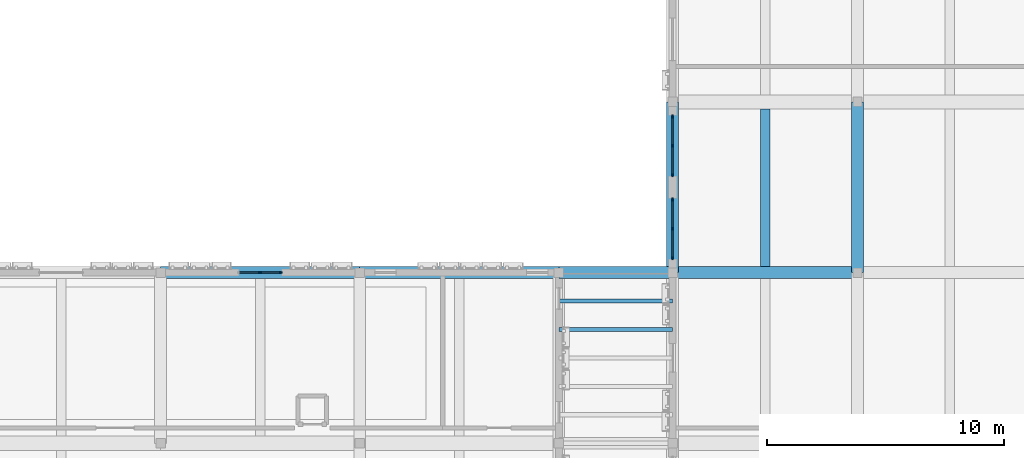
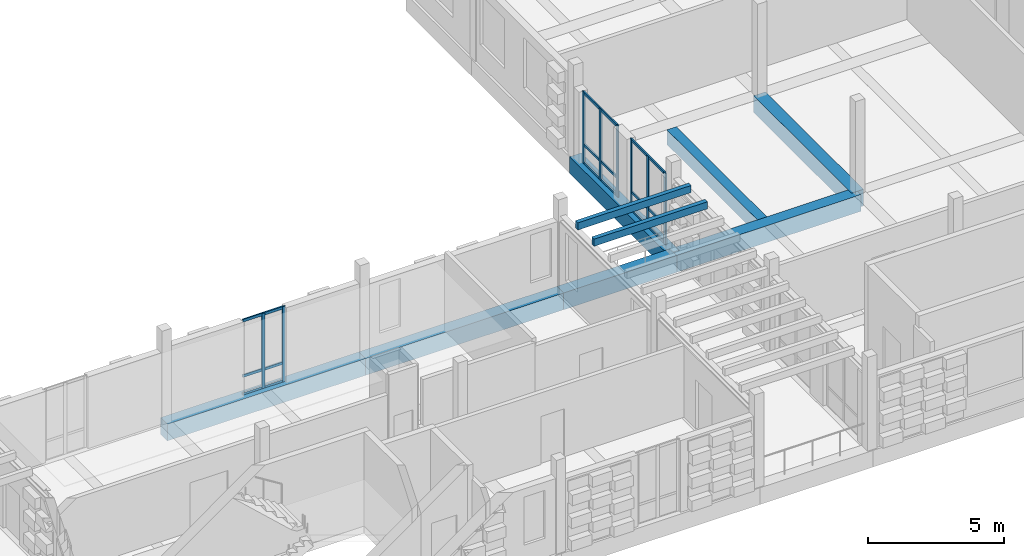
# One storey, part 26 of 99: 19 members, 7 beams, 3 elements without a shape of their own.
"""IFC4 building model written with IfcOpenShell, lengths in metres."""

from ifc_helpers import new_model, si_unit, direction, frame, origin, origin_2d, place, context, subcontext, project, spatial, rectangle, extrude, material, material_profile, profile_set, type_object, element, aggregate, save


model = new_model("IFC4")

# Units and contexts
model_context = context("Model", 3, precision=1e-05, world=origin(), true_north=direction((0.0, 1.0)))
body_context = subcontext(model_context, "Body", "Model", "MODEL_VIEW")
ifc_project = project(units=[si_unit("LENGTHUNIT", "METRE"), si_unit("AREAUNIT", "SQUARE_METRE"), si_unit("VOLUMEUNIT", "CUBIC_METRE"), si_unit("PLANEANGLEUNIT", "RADIAN"), si_unit("MASSUNIT", "GRAM", prefix="KILO")], contexts=[model_context])

# Site, building, storey
site_placement = place(None, origin())
site = spatial("IfcSite", under=ifc_project, at=site_placement, CompositionType="ELEMENT")
building_placement = place(site_placement, origin())
building = spatial("IfcBuilding", under=site, at=building_placement, Name="Kahlenmark Community Centre", CompositionType="ELEMENT")
storey_placement = place(building_placement, frame((0.0, 0.0, 5.39990234375)))
storey = spatial("IfcBuildingStorey", under=building, at=storey_placement, Name="L01", CompositionType="ELEMENT", Elevation=5.39990234375)

# Beams
ifc_material_1 = material(Name="Concrete C35/45", Category="concrete")
ifc_material_profile_1 = material_profile(ifc_material_1, rectangle(XDim=0.5, YDim=0.75, at=origin_2d()), Name="RC 500x750")
ifc_profile_set_1 = profile_set([ifc_material_profile_1], Name="Concrete C35/45")
beam_type_1 = type_object("IfcBeamType", Name="BT-BEAM-RC500x750", PredefinedType="BEAM", material=ifc_profile_set_1)
beam_1_placement = place(storey_placement, frame((129.39990234375, 23.199951171875, -0.375), z_axis=(0.0, 1.0, 0.0), x_axis=(-1.0, 0.0, 0.0)))
element("IfcBeam", 1, at=beam_1_placement, inside=storey, type_object=beam_type_1, Name="L01 beam BG-RC500x750", PredefinedType="BEAM", context=body_context, shape_type="SweptSolid", body=[
    extrude(rectangle(XDim=0.5, YDim=0.75, at=origin_2d()), origin(), (0.0, 0.0, 1.0), 7.199951171875),
])
ifc_material_profile_2 = material_profile(ifc_material_1, rectangle(XDim=0.39990234375, YDim=0.64990234375, at=origin_2d()), Name="RC 400x650")
ifc_profile_set_2 = profile_set([ifc_material_profile_2], Name="Concrete C35/45")
beam_type_2 = type_object("IfcBeamType", Name="BT-JOIST-RC400x650", PredefinedType="JOIST", material=ifc_profile_set_2)
beam_2_placement = place(storey_placement, frame((125.5, 23.447998046875, -0.324951171875), z_axis=(0.0, 1.0, 0.0), x_axis=(-1.0, 0.0, 0.0)))
element("IfcBeam", 2, at=beam_2_placement, inside=storey, type_object=beam_type_2, Name="L01 joist BJ-RC400x650", PredefinedType="JOIST", context=body_context, shape_type="SweptSolid", body=[
    extrude(rectangle(XDim=0.39990234375, YDim=0.64990234375, at=origin_2d()), origin(), (0.0, 0.0, 1.0), 6.654052734375),
])
ifc_material_profile_3 = material_profile(ifc_material_1, rectangle(XDim=0.5, YDim=0.75, at=origin_2d()), Name="RC 500x750")
ifc_profile_set_3 = profile_set([ifc_material_profile_3], Name="Concrete C35/45")
beam_type_3 = type_object("IfcBeamType", Name="BT-SPANDREL-RC500x750", PredefinedType="SPANDREL", material=ifc_profile_set_3)
beam_3_placement = place(storey_placement, frame((100.0, 23.199951171875, -0.375), z_axis=(1.0, 0.0, 0.0), x_axis=(0.0, 1.0, 0.0)))
element("IfcBeam", 3, at=beam_3_placement, inside=storey, type_object=beam_type_3, Name="L01 spandrel SP-RC500x750", PredefinedType="SPANDREL", context=body_context, shape_type="SweptSolid", body=[
    extrude(rectangle(XDim=0.5, YDim=0.75, at=origin_2d()), origin(), (0.0, 0.0, 1.0), 8.39990234375),
])
beam_4_placement = place(storey_placement, frame((108.39990234375, 23.199951171875, -0.375), z_axis=(1.0, 0.0, 0.0), x_axis=(0.0, 1.0, 0.0)))
element("IfcBeam", 4, at=beam_4_placement, inside=storey, type_object=beam_type_3, Name="L01 spandrel SP-RC500x750", PredefinedType="SPANDREL", context=body_context, shape_type="SweptSolid", body=[
    extrude(rectangle(XDim=0.5, YDim=0.75, at=origin_2d()), origin(), (0.0, 0.0, 1.0), 8.400146484375),
])
beam_5_placement = place(storey_placement, frame((121.60009765625, 23.199951171875, -0.375), z_axis=(1.0, 0.0, 0.0), x_axis=(0.0, 1.0, 0.0)))
element("IfcBeam", 5, at=beam_5_placement, inside=storey, type_object=beam_type_3, Name="L01 spandrel SP-RC500x750", PredefinedType="SPANDREL", context=body_context, shape_type="SweptSolid", body=[
    extrude(rectangle(XDim=0.5, YDim=0.75, at=origin_2d()), origin(), (0.0, 0.0, 1.0), 7.7998046875),
])
beam_6_placement = place(storey_placement, frame((121.60009765625, 23.199951171875, -0.375), z_axis=(0.0, 1.0, 0.0), x_axis=(-1.0, 0.0, 0.0)))
element("IfcBeam", 6, at=beam_6_placement, inside=storey, type_object=beam_type_3, Name="L01 spandrel SP-RC500x750", PredefinedType="SPANDREL", context=body_context, shape_type="SweptSolid", body=[
    extrude(rectangle(XDim=0.5, YDim=0.75, at=origin_2d()), origin(), (0.0, 0.0, 1.0), 7.199951171875),
])
beam_7_placement = place(storey_placement, frame((116.800048828125, 23.199951171875, -0.375), z_axis=(1.0, 0.0, 0.0), x_axis=(0.0, 1.0, 0.0)))
element("IfcBeam", 7, at=beam_7_placement, inside=storey, type_object=beam_type_3, Name="L01 spandrel SP-RC500x750", PredefinedType="SPANDREL", context=body_context, shape_type="SweptSolid", body=[
    extrude(rectangle(XDim=0.5, YDim=0.75, at=origin_2d()), origin(), (0.0, 0.0, 1.0), 4.800048828125),
])

# Curtain wall, members
ifc_material_2 = material(Name="Anodised aluminium unitised curtain wall", Category="aluminium")
curtain_wall_type_1 = type_object("IfcCurtainWallType", Name="CWT-UNIT-180X337", PredefinedType="USERDEFINED", material=ifc_material_2)
curtain_wall_1_placement = place(storey_placement, origin())
curtain_wall_1 = element("IfcCurtainWall", 8, at=curtain_wall_1_placement, inside=storey, type_object=curtain_wall_type_1, Name="Unitised curtain wall CW-048", ObjectType="UNITISED CURTAIN WALL", PredefinedType="USERDEFINED")
ifc_material_3 = material(Name="Anodised aluminium 6063-T6", Category="aluminium")
ifc_material_profile_4 = material_profile(ifc_material_3, rectangle(XDim=0.06005859375, YDim=0.139892578125, at=origin_2d()), Name="ALU MULLION 60x140")
ifc_profile_set_4 = profile_set([ifc_material_profile_4], Name="Anodised aluminium 6063-T6")
member_type_1 = type_object("IfcMemberType", Name="MT-MUL-140", PredefinedType="MULLION", material=ifc_profile_set_4)
member_1_placement = place(storey_placement, frame((105.070068359375, 23.199951171875, 0.0), z_axis=(0.0, 0.0, 1.0), x_axis=(0.0, -1.0, 0.0)))
member_1 = element("IfcMember", 9, at=member_1_placement, type_object=member_type_1, Name="CW-048 mullion 1", PredefinedType="MULLION", context=body_context, shape_type="SweptSolid", body=[
    extrude(rectangle(XDim=0.06005859375, YDim=0.139892578125, at=origin_2d()), origin(), (0.0, 0.0, 1.0), 3.3701171875),
])
member_2_placement = place(storey_placement, frame((104.199951171875, 23.199951171875, 0.0), z_axis=(0.0, 0.0, 1.0), x_axis=(0.0, -1.0, 0.0)))
member_2 = element("IfcMember", 10, at=member_2_placement, type_object=member_type_1, Name="CW-048 mullion 2", PredefinedType="MULLION", context=body_context, shape_type="SweptSolid", body=[
    extrude(rectangle(XDim=0.06005859375, YDim=0.139892578125, at=origin_2d()), origin(), (0.0, 0.0, 1.0), 3.3701171875),
])

curtain_wall_type_2 = type_object("IfcCurtainWallType", Name="CWT-UNIT-254X321", PredefinedType="USERDEFINED", material=ifc_material_2)
curtain_wall_2_placement = place(storey_placement, origin())
curtain_wall_2 = element("IfcCurtainWall", 11, at=curtain_wall_2_placement, inside=storey, type_object=curtain_wall_type_2, Name="Unitised curtain wall CW-056", ObjectType="UNITISED CURTAIN WALL", PredefinedType="USERDEFINED")
member_3_placement = place(storey_placement, frame((121.60009765625, 29.7900390625, 0.0), z_axis=(0.0, 0.0, 1.0), x_axis=(1.0, 0.0, 0.0)))
member_3 = element("IfcMember", 12, at=member_3_placement, type_object=member_type_1, Name="CW-056 mullion 1", PredefinedType="MULLION", context=body_context, shape_type="SweptSolid", body=[
    extrude(rectangle(XDim=0.06005859375, YDim=0.139892578125, at=origin_2d()), origin(), (0.0, 0.0, 1.0), 3.210205078125),
])
member_4_placement = place(storey_placement, frame((121.60009765625, 28.550048828125, 0.0), z_axis=(0.0, 0.0, 1.0), x_axis=(1.0, 0.0, 0.0)))
member_4 = element("IfcMember", 13, at=member_4_placement, type_object=member_type_1, Name="CW-056 mullion 2", PredefinedType="MULLION", context=body_context, shape_type="SweptSolid", body=[
    extrude(rectangle(XDim=0.06005859375, YDim=0.139892578125, at=origin_2d()), origin(), (0.0, 0.0, 1.0), 3.210205078125),
])
member_5_placement = place(storey_placement, frame((121.60009765625, 27.31005859375, 0.0), z_axis=(0.0, 0.0, 1.0), x_axis=(1.0, 0.0, 0.0)))
member_5 = element("IfcMember", 14, at=member_5_placement, type_object=member_type_1, Name="CW-056 mullion 3", PredefinedType="MULLION", context=body_context, shape_type="SweptSolid", body=[
    extrude(rectangle(XDim=0.06005859375, YDim=0.139892578125, at=origin_2d()), origin(), (0.0, 0.0, 1.0), 3.210205078125),
])

curtain_wall_3_placement = place(storey_placement, origin())
curtain_wall_3 = element("IfcCurtainWall", 15, at=curtain_wall_3_placement, inside=storey, type_object=curtain_wall_type_2, Name="Unitised curtain wall CW-057", ObjectType="UNITISED CURTAIN WALL", PredefinedType="USERDEFINED")
member_6_placement = place(storey_placement, frame((121.60009765625, 26.2900390625, 0.0), z_axis=(0.0, 0.0, 1.0), x_axis=(1.0, 0.0, 0.0)))
member_6 = element("IfcMember", 16, at=member_6_placement, type_object=member_type_1, Name="CW-057 mullion 1", PredefinedType="MULLION", context=body_context, shape_type="SweptSolid", body=[
    extrude(rectangle(XDim=0.06005859375, YDim=0.139892578125, at=origin_2d()), origin(), (0.0, 0.0, 1.0), 3.210205078125),
])
member_7_placement = place(storey_placement, frame((121.60009765625, 25.050048828125, 0.0), z_axis=(0.0, 0.0, 1.0), x_axis=(1.0, 0.0, 0.0)))
member_7 = element("IfcMember", 17, at=member_7_placement, type_object=member_type_1, Name="CW-057 mullion 2", PredefinedType="MULLION", context=body_context, shape_type="SweptSolid", body=[
    extrude(rectangle(XDim=0.06005859375, YDim=0.139892578125, at=origin_2d()), origin(), (0.0, 0.0, 1.0), 3.210205078125),
])
member_8_placement = place(storey_placement, frame((121.60009765625, 23.81005859375, 0.0), z_axis=(0.0, 0.0, 1.0), x_axis=(1.0, 0.0, 0.0)))
member_8 = element("IfcMember", 18, at=member_8_placement, type_object=member_type_1, Name="CW-057 mullion 3", PredefinedType="MULLION", context=body_context, shape_type="SweptSolid", body=[
    extrude(rectangle(XDim=0.06005859375, YDim=0.139892578125, at=origin_2d()), origin(), (0.0, 0.0, 1.0), 3.210205078125),
])

# Members
ifc_material_4 = material(Name="Glulam GL28h", Category="wood")
ifc_material_profile_5 = material_profile(ifc_material_4, rectangle(XDim=0.179931640625, YDim=0.320068359375, at=origin_2d()), Name="GL28h 180x320")
ifc_profile_set_5 = profile_set([ifc_material_profile_5], Name="Glulam GL28h")
member_type_2 = type_object("IfcMemberType", Name="MT-RAFTER-GL28h180x320", PredefinedType="RAFTER", material=ifc_profile_set_5)
for number, where, z_axis, x_axis, name in (
    (19, (116.800048828125, 20.800048828125, 3.610107421875), (1.0, 0.0, 0.0), (0.0, 1.0, 0.0), "L01 rafter PRG-RAF"),
    (20, (116.800048828125, 22.0, 3.610107421875), (1.0, 0.0, 0.0), (0.0, 1.0, 0.0), "L01 rafter PRG-RAF"),
):
    element("IfcMember", number, at=place(storey_placement, frame(where, z_axis=z_axis, x_axis=x_axis)), inside=storey, type_object=member_type_2, Name=name, PredefinedType="RAFTER", context=body_context, shape_type="SweptSolid", body=[
        extrude(rectangle(XDim=0.179931640625, YDim=0.320068359375, at=origin_2d()), origin(), (0.0, 0.0, 1.0), 4.800048828125),
    ])

# Member
ifc_material_profile_6 = material_profile(ifc_material_3, rectangle(XDim=0.06005859375, YDim=0.1201171875, at=origin_2d()), Name="ALU TRANSOM 60x120")
ifc_profile_set_6 = profile_set([ifc_material_profile_6], Name="Anodised aluminium 6063-T6")
member_type_3 = type_object("IfcMemberType", Name="MT-TRN-120", PredefinedType="USERDEFINED", material=ifc_profile_set_6)
member_9_placement = place(storey_placement, frame((105.070068359375, 23.199951171875, 0.0400390625), z_axis=(-1.0, 0.0, 0.0), x_axis=(0.0, -1.0, 0.0)))
member_9 = element("IfcMember", 21, at=member_9_placement, type_object=member_type_3, Name="CW-048 transom 1", ObjectType="TRANSOM", PredefinedType="USERDEFINED", context=body_context, shape_type="SweptSolid", body=[
    extrude(rectangle(XDim=0.06005859375, YDim=0.1201171875, at=origin_2d()), origin(), (0.0, 0.0, 1.0), 1.739990234375),
])

member_10_placement = place(storey_placement, frame((105.070068359375, 23.199951171875, 0.85009765625), z_axis=(-1.0, 0.0, 0.0), x_axis=(0.0, -1.0, 0.0)))
member_10 = element("IfcMember", 22, at=member_10_placement, type_object=member_type_3, Name="CW-048 transom 2", ObjectType="TRANSOM", PredefinedType="USERDEFINED", context=body_context, shape_type="SweptSolid", body=[
    extrude(rectangle(XDim=0.06005859375, YDim=0.1201171875, at=origin_2d()), origin(), (0.0, 0.0, 1.0), 1.739990234375),
])

member_11_placement = place(storey_placement, frame((105.070068359375, 23.199951171875, 3.330078125), z_axis=(-1.0, 0.0, 0.0), x_axis=(0.0, -1.0, 0.0)))
member_11 = element("IfcMember", 23, at=member_11_placement, type_object=member_type_3, Name="CW-048 transom 3", ObjectType="TRANSOM", PredefinedType="USERDEFINED", context=body_context, shape_type="SweptSolid", body=[
    extrude(rectangle(XDim=0.06005859375, YDim=0.1201171875, at=origin_2d()), origin(), (0.0, 0.0, 1.0), 1.739990234375),
])

aggregate(curtain_wall_1, [member_1, member_2, member_9, member_10, member_11])

member_12_placement = place(storey_placement, frame((121.60009765625, 29.7900390625, 0.0400390625), z_axis=(0.0, -1.0, 0.0), x_axis=(1.0, 0.0, 0.0)))
member_12 = element("IfcMember", 24, at=member_12_placement, type_object=member_type_3, Name="CW-056 transom 1", ObjectType="TRANSOM", PredefinedType="USERDEFINED", context=body_context, shape_type="SweptSolid", body=[
    extrude(rectangle(XDim=0.06005859375, YDim=0.1201171875, at=origin_2d()), origin(), (0.0, 0.0, 1.0), 2.47998046875),
])

member_13_placement = place(storey_placement, frame((121.60009765625, 29.7900390625, 0.85009765625), z_axis=(0.0, -1.0, 0.0), x_axis=(1.0, 0.0, 0.0)))
member_13 = element("IfcMember", 25, at=member_13_placement, type_object=member_type_3, Name="CW-056 transom 2", ObjectType="TRANSOM", PredefinedType="USERDEFINED", context=body_context, shape_type="SweptSolid", body=[
    extrude(rectangle(XDim=0.06005859375, YDim=0.1201171875, at=origin_2d()), origin(), (0.0, 0.0, 1.0), 2.47998046875),
])

member_14_placement = place(storey_placement, frame((121.60009765625, 29.7900390625, 3.170166015625), z_axis=(0.0, -1.0, 0.0), x_axis=(1.0, 0.0, 0.0)))
member_14 = element("IfcMember", 26, at=member_14_placement, type_object=member_type_3, Name="CW-056 transom 3", ObjectType="TRANSOM", PredefinedType="USERDEFINED", context=body_context, shape_type="SweptSolid", body=[
    extrude(rectangle(XDim=0.06005859375, YDim=0.1201171875, at=origin_2d()), origin(), (0.0, 0.0, 1.0), 2.47998046875),
])

aggregate(curtain_wall_2, [member_3, member_4, member_5, member_12, member_13, member_14])

member_15_placement = place(storey_placement, frame((121.60009765625, 26.2900390625, 0.0400390625), z_axis=(0.0, -1.0, 0.0), x_axis=(1.0, 0.0, 0.0)))
member_15 = element("IfcMember", 27, at=member_15_placement, type_object=member_type_3, Name="CW-057 transom 1", ObjectType="TRANSOM", PredefinedType="USERDEFINED", context=body_context, shape_type="SweptSolid", body=[
    extrude(rectangle(XDim=0.06005859375, YDim=0.1201171875, at=origin_2d()), origin(), (0.0, 0.0, 1.0), 2.47998046875),
])

member_16_placement = place(storey_placement, frame((121.60009765625, 26.2900390625, 0.85009765625), z_axis=(0.0, -1.0, 0.0), x_axis=(1.0, 0.0, 0.0)))
member_16 = element("IfcMember", 28, at=member_16_placement, type_object=member_type_3, Name="CW-057 transom 2", ObjectType="TRANSOM", PredefinedType="USERDEFINED", context=body_context, shape_type="SweptSolid", body=[
    extrude(rectangle(XDim=0.06005859375, YDim=0.1201171875, at=origin_2d()), origin(), (0.0, 0.0, 1.0), 2.47998046875),
])

member_17_placement = place(storey_placement, frame((121.60009765625, 26.2900390625, 3.170166015625), z_axis=(0.0, -1.0, 0.0), x_axis=(1.0, 0.0, 0.0)))
member_17 = element("IfcMember", 29, at=member_17_placement, type_object=member_type_3, Name="CW-057 transom 3", ObjectType="TRANSOM", PredefinedType="USERDEFINED", context=body_context, shape_type="SweptSolid", body=[
    extrude(rectangle(XDim=0.06005859375, YDim=0.1201171875, at=origin_2d()), origin(), (0.0, 0.0, 1.0), 2.47998046875),
])

aggregate(curtain_wall_3, [member_6, member_7, member_8, member_15, member_16, member_17])

save(model, "model.ifc")
